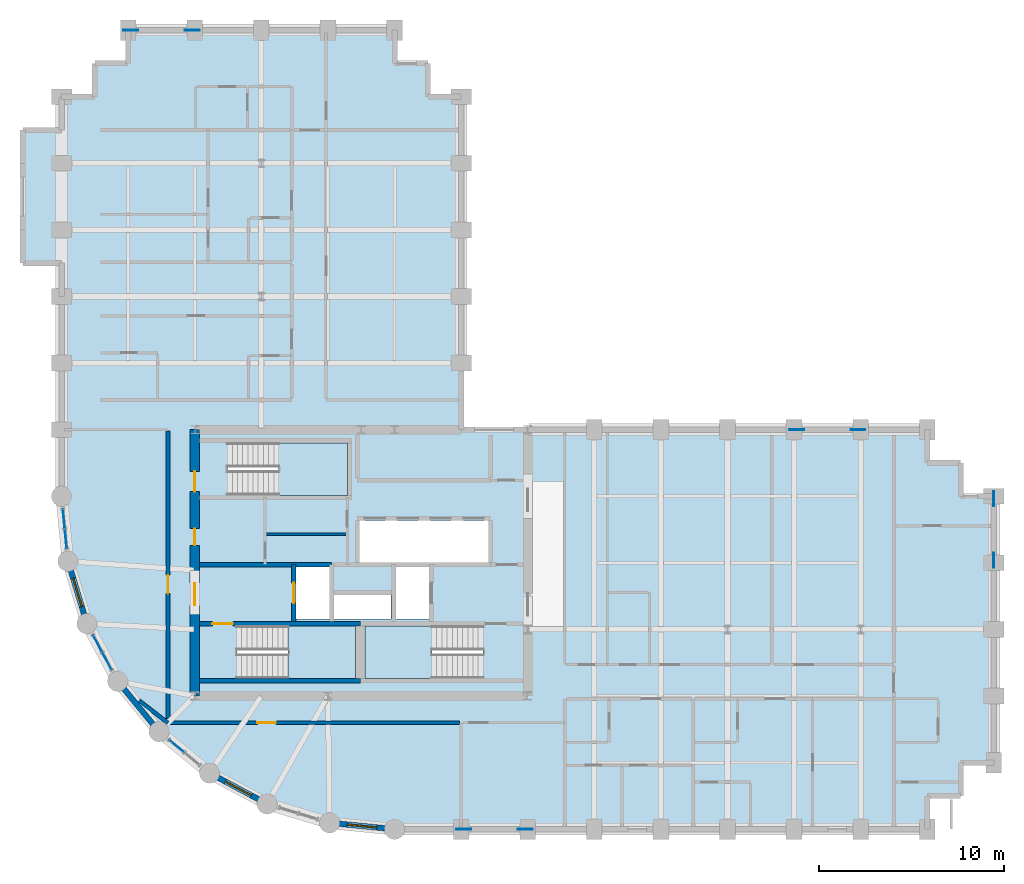
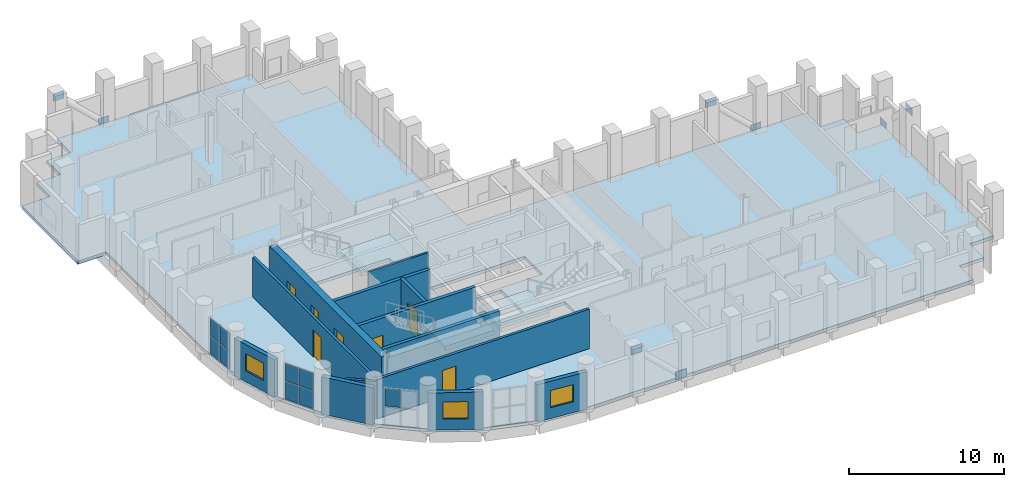
# One storey, part 7 of 13: 17 plates, 13 walls, 7 doors, 4 slabs, 3 windows, 10 openings, 6 elements without a shape of their own.
"""IFC4 building model written with IfcOpenShell, lengths in metres."""

from ifc_helpers import new_model, si_unit, direction, frame, frame_2d, origin, origin_2d, place, context, subcontext, project, spatial, polyline, rectangle, outline, extrude, material, layer, layer_set, type_object, element, fill, aggregate, save


model = new_model("IFC4")

# Units and contexts
model_context = context("Model", 3, precision=1e-05, world=origin(), true_north=direction((0.0, 1.0)))
body_context = subcontext(model_context, "Body", "Model", "MODEL_VIEW")
ifc_project = project(units=[si_unit("LENGTHUNIT", "METRE"), si_unit("AREAUNIT", "SQUARE_METRE"), si_unit("VOLUMEUNIT", "CUBIC_METRE"), si_unit("PLANEANGLEUNIT", "RADIAN"), si_unit("MASSUNIT", "GRAM", prefix="KILO")], contexts=[model_context])

# Site, building, storey
site_placement = place(None, origin())
site = spatial("IfcSite", under=ifc_project, at=site_placement, CompositionType="ELEMENT")
building_placement = place(site_placement, origin())
building = spatial("IfcBuilding", under=site, at=building_placement, Name="Solnavia Interchange Tower", CompositionType="ELEMENT")
storey_placement = place(building_placement, frame((0.0, 0.0, 123.800048828125)))
storey = spatial("IfcBuildingStorey", under=building, at=storey_placement, Name="L30", CompositionType="ELEMENT", Elevation=123.800048828125)

# Curtain wall, plates
ifc_material_1 = material(Name="Aluminium Alloy 6063-T6", Category="aluminium")
ifc_layer_1 = layer(ifc_material_1, 0.239990234375)
ifc_layer_set_1 = layer_set([ifc_layer_1], Name="Aluminium Alloy 6063-T6")
curtain_wall_type = type_object("IfcCurtainWallType", Name="CurtainWall-Drum-CTW2", PredefinedType="NOTDEFINED", material=ifc_layer_set_1)
curtain_wall_1_placement = place(storey_placement, origin())
curtain_wall_1 = element("IfcCurtainWall", 1, at=curtain_wall_1_placement, inside=storey, type_object=curtain_wall_type, Name="CTW-L30-D55 CTW-2 curtain wall", PredefinedType="NOTDEFINED")
ifc_material_2 = material(Name="Double-Glazed Low-E IGU Glass", Category="glass")
ifc_layer_2 = layer(ifc_material_2, 0.031982421875)
ifc_layer_set_2 = layer_set([ifc_layer_2], Name="Double-Glazed Low-E IGU Glass")
plate_type_1 = type_object("IfcPlateType", Name="CW-Panel-Solar-32", PredefinedType="CURTAIN_PANEL", material=ifc_layer_set_2)
plate_1_placement = place(storey_placement, frame((7.319580078125, 20.38623046875, 0.06494140625), z_axis=(0.0, 0.0, 1.0), x_axis=(0.098045297616, -0.995181953019, 0.0)))
plate_1 = element("IfcPlate", 2, at=plate_1_placement, type_object=plate_type_1, Name="CTW-2 panel 1.1", PredefinedType="CURTAIN_PANEL", context=body_context, shape_type="SweptSolid", body=[
    extrude(rectangle(XDim=1.0146484375, YDim=0.031982421875, at=origin_2d()), origin(), (0.0, 0.0, 1.0), 1.367431640625),
])
plate_2_placement = place(storey_placement, frame((7.319580078125, 20.38623046875, 1.49755859375), z_axis=(0.0, 0.0, 1.0), x_axis=(0.098045297616, -0.995181953019, 0.0)))
plate_2 = element("IfcPlate", 3, at=plate_2_placement, type_object=plate_type_1, Name="CTW-2 panel 1.2", PredefinedType="CURTAIN_PANEL", context=body_context, shape_type="SweptSolid", body=[
    extrude(rectangle(XDim=1.0146484375, YDim=0.031982421875, at=origin_2d()), origin(), (0.0, 0.0, 1.0), 1.367431640625),
])
plate_3_placement = place(storey_placement, frame((7.426513671875, 19.3017578125, 0.06494140625), z_axis=(0.0, 0.0, 1.0), x_axis=(0.098045297616, -0.995181953019, 0.0)))
plate_3 = element("IfcPlate", 4, at=plate_3_placement, type_object=plate_type_1, Name="CTW-2 panel 2.1", PredefinedType="CURTAIN_PANEL", context=body_context, shape_type="SweptSolid", body=[
    extrude(rectangle(XDim=1.0146484375, YDim=0.031982421875, at=origin_2d()), origin(), (0.0, 0.0, 1.0), 1.367431640625),
])
plate_4_placement = place(storey_placement, frame((7.426513671875, 19.3017578125, 1.49755859375), z_axis=(0.0, 0.0, 1.0), x_axis=(0.098045297616, -0.995181953019, 0.0)))
plate_4 = element("IfcPlate", 5, at=plate_4_placement, type_object=plate_type_1, Name="CTW-2 panel 2.2", PredefinedType="CURTAIN_PANEL", context=body_context, shape_type="SweptSolid", body=[
    extrude(rectangle(XDim=1.0146484375, YDim=0.031982421875, at=origin_2d()), origin(), (0.0, 0.0, 1.0), 1.367431640625),
])
aggregate(curtain_wall_1, [plate_1, plate_2, plate_3, plate_4])

curtain_wall_2_placement = place(storey_placement, origin())
curtain_wall_2 = element("IfcCurtainWall", 6, at=curtain_wall_2_placement, inside=storey, type_object=curtain_wall_type, Name="CTW-L30-D57 CTW-2 curtain wall", PredefinedType="NOTDEFINED")
plate_5_placement = place(storey_placement, frame((9.14501953125, 13.636474609375, 0.06494140625), z_axis=(0.0, 0.0, 1.0), x_axis=(0.471536719402, -0.881846427818, 0.0)))
plate_5 = element("IfcPlate", 7, at=plate_5_placement, type_object=plate_type_1, Name="CTW-2 panel 1.1", PredefinedType="CURTAIN_PANEL", context=body_context, shape_type="SweptSolid", body=[
    extrude(rectangle(XDim=1.014404296875, YDim=0.031982421875, at=origin_2d()), origin(), (0.0, 0.0, 1.0), 1.367431640625),
])
plate_6_placement = place(storey_placement, frame((9.14501953125, 13.636474609375, 1.49755859375), z_axis=(0.0, 0.0, 1.0), x_axis=(0.471536719402, -0.881846427818, 0.0)))
plate_6 = element("IfcPlate", 8, at=plate_6_placement, type_object=plate_type_1, Name="CTW-2 panel 1.2", PredefinedType="CURTAIN_PANEL", context=body_context, shape_type="SweptSolid", body=[
    extrude(rectangle(XDim=1.014404296875, YDim=0.031982421875, at=origin_2d()), origin(), (0.0, 0.0, 1.0), 1.367431640625),
])
plate_7_placement = place(storey_placement, frame((9.658935546875, 12.675537109375, 0.06494140625), z_axis=(0.0, 0.0, 1.0), x_axis=(0.471536719402, -0.881846427818, 0.0)))
plate_7 = element("IfcPlate", 9, at=plate_7_placement, type_object=plate_type_1, Name="CTW-2 panel 2.1", PredefinedType="CURTAIN_PANEL", context=body_context, shape_type="SweptSolid", body=[
    extrude(rectangle(XDim=1.014404296875, YDim=0.031982421875, at=origin_2d()), origin(), (0.0, 0.0, 1.0), 1.367431640625),
])
plate_8_placement = place(storey_placement, frame((9.658935546875, 12.675537109375, 1.49755859375), z_axis=(0.0, 0.0, 1.0), x_axis=(0.471536719402, -0.881846427818, 0.0)))
plate_8 = element("IfcPlate", 10, at=plate_8_placement, type_object=plate_type_1, Name="CTW-2 panel 2.2", PredefinedType="CURTAIN_PANEL", context=body_context, shape_type="SweptSolid", body=[
    extrude(rectangle(XDim=1.014404296875, YDim=0.031982421875, at=origin_2d()), origin(), (0.0, 0.0, 1.0), 1.367431640625),
])
aggregate(curtain_wall_2, [plate_5, plate_6, plate_7, plate_8])

# Curtain wall, plate
curtain_wall_3_placement = place(storey_placement, origin())
curtain_wall_3 = element("IfcCurtainWall", 11, at=curtain_wall_3_placement, inside=storey, type_object=curtain_wall_type, Name="CTW-L30-D59 CTW-2 curtain wall", PredefinedType="NOTDEFINED")
plate_9_placement = place(storey_placement, frame((13.4150390625, 8.098388671875, 1.49755859375), z_axis=(0.0, 0.0, 1.0), x_axis=(0.773094572227, -0.634290771172, 0.0)))
plate_9 = element("IfcPlate", 12, at=plate_9_placement, type_object=plate_type_1, Name="CTW-2 panel 1.2", PredefinedType="CURTAIN_PANEL", context=body_context, shape_type="SweptSolid", body=[
    extrude(rectangle(XDim=1.01416015625, YDim=0.031982421875, at=origin_2d()), origin(), (0.0, 0.0, 1.0), 1.367431640625),
])
aggregate(curtain_wall_3, [plate_9])

# Plates
ifc_material_3 = material(Name="Steel S460", Category="steel")
ifc_layer_3 = layer(ifc_material_3, 0.035888671875)
ifc_layer_set_3 = layer_set([ifc_layer_3], Name="Steel S460")
plate_type_2 = type_object("IfcPlateType", Name="Plate-Gusset-800x600x36", PredefinedType="USERDEFINED", material=ifc_layer_set_3)
for number, where, z_axis, x_axis, name in (
    (13, (32.260009765625, 3.60009765625, -0.1201171875), (0.0, 0.0, 1.0), (-1.0, 0.0, 0.0), "PLT-L30-GP01 Perimeter brace gusset plate"),
    (14, (28.93994140625, 3.60009765625, 3.0), (0.0, 0.0, 1.0), (-1.0, 0.0, 0.0), "PLT-L30-GP02 Perimeter brace gusset plate"),
    (15, (57.60009765625, 21.4599609375, -0.1201171875), (0.0, 0.0, 1.0), (0.0, -1.0, 0.0), "PLT-L30-GP03 Perimeter brace gusset plate"),
    (16, (57.60009765625, 18.139892578125, 3.0), (0.0, 0.0, 1.0), (0.0, -1.0, 0.0), "PLT-L30-GP04 Perimeter brace gusset plate"),
    (17, (14.260009765625, 46.800048828125, -0.1201171875), (0.0, 0.0, 1.0), (-1.0, 0.0, 0.0), "PLT-L30-GP05 Perimeter brace gusset plate"),
    (18, (10.93994140625, 46.800048828125, 3.0), (0.0, 0.0, 1.0), (-1.0, 0.0, 0.0), "PLT-L30-GP06 Perimeter brace gusset plate"),
    (19, (50.260009765625, 25.199951171875, -0.1201171875), (0.0, 0.0, 1.0), (-1.0, 0.0, 0.0), "PLT-L30-GP07 Perimeter brace gusset plate"),
    (20, (46.93994140625, 25.199951171875, 3.0), (0.0, 0.0, 1.0), (-1.0, 0.0, 0.0), "PLT-L30-GP08 Perimeter brace gusset plate"),
):
    element("IfcPlate", number, at=place(storey_placement, frame(where, z_axis=z_axis, x_axis=x_axis)), inside=storey, type_object=plate_type_2, Name=name, ObjectType="GUSSET PLATE", PredefinedType="USERDEFINED", context=body_context, shape_type="SweptSolid", body=[
        extrude(rectangle(XDim=0.800048828125, YDim=0.035888671875, at=origin_2d()), origin(), (0.0, 0.0, 1.0), 0.60009765625),
    ])

# Stair, slab
ifc_material_4 = material(Name="Concrete C40/50", Category="concrete")
stair_type = type_object("IfcStairType", Name="Stair-Dogleg-RC", PredefinedType="HALF_TURN_STAIR", material=ifc_material_4)
stair_1_placement = place(storey_placement, origin())
stair_1 = element("IfcStair", 21, at=stair_1_placement, inside=storey, type_object=stair_type, Name="L30 Core exit stair 1", PredefinedType="HALF_TURN_STAIR")
ifc_layer_4 = layer(ifc_material_4, 0.35009765625)
ifc_layer_set_4 = layer_set([ifc_layer_4], Name="Concrete C40/50")
slab_type_1 = type_object("IfcSlabType", Name="Slab-StairLanding-350", PredefinedType="LANDING", material=ifc_layer_set_4)
slab_1_placement = place(storey_placement, frame((0.0, 0.0, 1.550048828125)))
slab_1 = element("IfcSlab", 22, at=slab_1_placement, type_object=slab_type_1, Name="ST-1 landing 1", PredefinedType="LANDING", context=body_context, shape_type="SweptSolid", body=[
    extrude(outline(polyline([(19.427978515625, 11.75), (23.10009765625, 11.75), (23.10009765625, 14.590087890625), (19.427978515625, 14.590087890625), (19.427978515625, 11.75)])), origin(), (0.0, 0.0, 1.0), 0.349853515625),
])
aggregate(stair_1, [slab_1])

stair_2_placement = place(storey_placement, origin())
stair_2 = element("IfcStair", 23, at=stair_2_placement, inside=storey, type_object=stair_type, Name="L30 Core exit stair 2", PredefinedType="HALF_TURN_STAIR")
slab_2_placement = place(storey_placement, frame((0.0, 0.0, 1.550048828125)))
slab_2 = element("IfcSlab", 24, at=slab_2_placement, type_object=slab_type_1, Name="ST-2 landing 1", PredefinedType="LANDING", context=body_context, shape_type="SweptSolid", body=[
    extrude(outline(polyline([(23.60009765625, 11.75), (27.221923828125, 11.75), (27.221923828125, 14.590087890625), (23.60009765625, 14.590087890625), (23.60009765625, 11.75)])), origin(), (0.0, 0.0, 1.0), 0.349853515625),
])
aggregate(stair_2, [slab_2])

stair_3_placement = place(storey_placement, origin())
stair_3 = element("IfcStair", 25, at=stair_3_placement, inside=storey, type_object=stair_type, Name="L30 Core exit stair 3", PredefinedType="HALF_TURN_STAIR")
slab_3_placement = place(storey_placement, frame((0.0, 0.0, 1.550048828125)))
slab_3 = element("IfcSlab", 26, at=slab_3_placement, type_object=slab_type_1, Name="ST-3 landing 1", PredefinedType="LANDING", context=body_context, shape_type="SweptSolid", body=[
    extrude(outline(polyline([(18.927978515625, 21.64990234375), (22.64990234375, 21.64990234375), (22.64990234375, 24.489990234375), (18.927978515625, 24.489990234375), (18.927978515625, 21.64990234375)])), origin(), (0.0, 0.0, 1.0), 0.349853515625),
])
aggregate(stair_3, [slab_3])

# Slab
ifc_layer_5 = layer(ifc_material_4, 0.25)
ifc_layer_set_5 = layer_set([ifc_layer_5], Name="Concrete C40/50")
slab_type_2 = type_object("IfcSlabType", Name="Slab-Tower-250", PredefinedType="FLOOR", material=ifc_layer_set_5)
slab_4_placement = place(storey_placement, frame((0.0, 0.0, -0.25)))
element("IfcSlab", 27, at=slab_4_placement, inside=storey, type_object=slab_type_2, Name="SLB-L30-01 Structural floor slab", PredefinedType="FLOOR", context=body_context, shape_type="SweptSolid", body=[
    extrude(outline(polyline([(25.199951171875, 3.60009765625), (54.0, 3.60009765625), (54.0, 5.39990234375), (55.800048828125, 5.39990234375), (55.800048828125, 7.199951171875), (57.60009765625, 7.199951171875), (57.60009765625, 21.60009765625), (55.800048828125, 21.60009765625), (55.800048828125, 23.39990234375), (54.0, 23.39990234375), (54.0, 25.199951171875), (28.800048828125, 25.199951171875), (28.800048828125, 43.199951171875), (27.0, 43.199951171875), (27.0, 45.0), (25.199951171875, 45.0), (25.199951171875, 46.800048828125), (10.800048828125, 46.800048828125), (10.800048828125, 45.0), (9.0, 45.0), (9.0, 43.199951171875), (7.199951171875, 43.199951171875), (7.199951171875, 41.39990234375), (5.10009765625, 41.39990234375), (5.10009765625, 34.199951171875), (7.199951171875, 34.199951171875), (7.199951171875, 21.60009765625), (7.5458984375, 18.087890625), (8.570068359375, 14.7119140625), (10.23388671875, 11.60009765625), (12.471923828125, 8.8720703125), (15.199951171875, 6.634033203125), (18.31201171875, 4.969970703125), (21.68798828125, 3.946044921875), (25.199951171875, 3.60009765625)]), holes=[polyline([(16.675048828125, 11.75), (23.10009765625, 11.75), (23.10009765625, 14.590087890625), (16.675048828125, 14.590087890625), (16.675048828125, 11.75)]), polyline([(23.60009765625, 11.75), (29.97509765625, 11.75), (29.97509765625, 14.590087890625), (23.60009765625, 14.590087890625), (23.60009765625, 11.75)]), polyline([(16.175048828125, 21.64990234375), (22.64990234375, 21.64990234375), (22.64990234375, 24.489990234375), (16.175048828125, 24.489990234375), (16.175048828125, 21.64990234375)]), polyline([(19.8798828125, 14.9599609375), (21.679931640625, 14.9599609375), (21.679931640625, 17.780029296875), (19.8798828125, 17.780029296875), (19.8798828125, 14.9599609375)]), polyline([(25.280029296875, 14.9599609375), (27.080078125, 14.9599609375), (27.080078125, 17.780029296875), (25.280029296875, 17.780029296875), (25.280029296875, 14.9599609375)]), polyline([(21.919921875, 14.9599609375), (25.02001953125, 14.9599609375), (25.02001953125, 16.280029296875), (21.919921875, 16.280029296875), (21.919921875, 14.9599609375)]), polyline([(23.300048828125, 18.02001953125), (30.280029296875, 18.02001953125), (30.280029296875, 20.300048828125), (23.300048828125, 20.300048828125), (23.300048828125, 18.02001953125)])]), origin(), (0.0, 0.0, 1.0), 0.25),
])

# Wall
ifc_material_5 = material(Name="Gypsum Acoustic Twin-Stud & Mineral Wool", Category="gypsum")
ifc_layer_6 = layer(ifc_material_5, 0.199951171875)
ifc_layer_set_6 = layer_set([ifc_layer_6], Name="Gypsum Acoustic Twin-Stud & Mineral Wool")
wall_type_1 = type_object("IfcWallType", Name="Wall-ApartmentParty-200", PredefinedType="PARTITIONING", material=ifc_layer_set_6)
wall_1_placement = place(storey_placement, frame((12.949951171875, 9.35009765625, 0.0), z_axis=(0.0, 0.0, 1.0), x_axis=(-0.7915325665, 0.611126988579, 0.0)))
element("IfcWall", 28, at=wall_1_placement, inside=storey, type_object=wall_type_1, Name="PTW-L30-09 Interior partition wall", PredefinedType="PARTITIONING", context=body_context, shape_type="SweptSolid", body=[
    extrude(rectangle(XDim=1.97314453125, YDim=0.199951171875, at=frame_2d((0.986572265625, 0.0))), origin(), (0.0, 0.0, 1.0), 2.929931640625),
])

# Wall, opening, door
wall_2_placement = place(storey_placement, frame((12.949951171875, 9.577392578125, 0.0), z_axis=(0.0, 0.0, 1.0), x_axis=(0.0, 1.0, 0.0)))
wall_2 = element("IfcWall", 29, at=wall_2_placement, inside=storey, type_object=wall_type_1, Name="PTW-L30-10 Interior partition wall", PredefinedType="PARTITIONING", context=body_context, shape_type="SweptSolid", body=[
    extrude(rectangle(XDim=15.543701171875, YDim=0.199951171875, at=frame_2d((7.77197265625, 0.0))), origin(), (0.0, 0.0, 1.0), 3.099853515625),
])
opening_1_placement = place(wall_2_placement, frame((6.762939453125, 0.0, 0.0)))
opening_1 = element("IfcOpeningElement", 30, at=opening_1_placement, cuts=wall_2, Name="Opening DR-07", PredefinedType="OPENING", context=body_context, shape_type="SweptSolid", body=[
    extrude(rectangle(XDim=1.0, YDim=2.10009765625, at=frame_2d((0.5, 1.050048828125))), frame((0.0, 0.10986328125, 0.0), z_axis=(0.0, -1.0, 0.0), x_axis=(1.0, 0.0, 0.0)), (0.0, 0.0, 1.0), 0.219970703125),
])
ifc_material_6 = material(Name="Timber & Acoustic Glazed Office Door", Category="wood")
door_type_1 = type_object("IfcDoorType", Name="Door-Office-1000x2100", OperationType="SINGLE_SWING_RIGHT", PredefinedType="DOOR", material=ifc_material_6)
door_1_placement = place(opening_1_placement, origin())
door_1 = element("IfcDoor", 31, at=door_1_placement, inside=storey, type_object=door_type_1, Name="DR-L30-03 Interior room door", OperationType="SINGLE_SWING_LEFT", OverallHeight=2.10009765625, OverallWidth=1.0, PredefinedType="DOOR", context=body_context, shape_type="SweptSolid", body=[
    extrude(rectangle(XDim=1.0, YDim=2.10009765625, at=frame_2d((0.5, 1.050048828125))), frame((0.0, 0.02490234375, 0.0), z_axis=(0.0, -1.0, 0.0), x_axis=(1.0, 0.0, 0.0)), (0.0, 0.0, 1.0), 0.050048828125),
])
fill(opening_1, door_1)

wall_3_placement = place(storey_placement, frame((12.949951171875, 9.35009765625, 0.0), z_axis=(0.0, 0.0, 1.0), x_axis=(1.0, 0.0, 0.0)))
wall_3 = element("IfcWall", 32, at=wall_3_placement, inside=storey, type_object=wall_type_1, Name="PTW-L30-11 Interior partition wall", PredefinedType="PARTITIONING", context=body_context, shape_type="SweptSolid", body=[
    extrude(rectangle(XDim=15.77099609375, YDim=0.199951171875, at=frame_2d((7.885498046875, 0.0))), origin(), (0.0, 0.0, 1.0), 3.099853515625),
])
opening_2_placement = place(wall_3_placement, frame((4.8359375, 0.0, 0.0)))
opening_2 = element("IfcOpeningElement", 33, at=opening_2_placement, cuts=wall_3, Name="Opening DR-07", PredefinedType="OPENING", context=body_context, shape_type="SweptSolid", body=[
    extrude(rectangle(XDim=1.0, YDim=2.10009765625, at=frame_2d((0.5, 1.050048828125))), frame((0.0, 0.10986328125, 0.0), z_axis=(0.0, -1.0, 0.0), x_axis=(1.0, 0.0, 0.0)), (0.0, 0.0, 1.0), 0.219970703125),
])
door_2_placement = place(opening_2_placement, origin())
door_2 = element("IfcDoor", 34, at=door_2_placement, inside=storey, type_object=door_type_1, Name="DR-L30-04 Interior room door", OperationType="SINGLE_SWING_RIGHT", OverallHeight=2.10009765625, OverallWidth=1.0, PredefinedType="DOOR", context=body_context, shape_type="SweptSolid", body=[
    extrude(rectangle(XDim=1.0, YDim=2.10009765625, at=frame_2d((0.5, 1.050048828125))), frame((0.0, 0.02490234375, 0.0), z_axis=(0.0, -1.0, 0.0), x_axis=(1.0, 0.0, 0.0)), (0.0, 0.0, 1.0), 0.050048828125),
])
fill(opening_2, door_2)

# Wall, opening, window
ifc_layer_7 = layer(ifc_material_4, 0.300048828125)
ifc_layer_set_7 = layer_set([ifc_layer_7], Name="Concrete C40/50")
wall_type_2 = type_object("IfcWallType", Name="Wall-ExtSpandrel-300", PredefinedType="STANDARD", material=ifc_layer_set_7)
wall_4_placement = place(storey_placement, frame((8.570068359375, 14.7119140625, 0.0), z_axis=(0.0, 0.0, 1.0), x_axis=(-0.290305086481, 0.956934144423, 0.0)))
wall_4 = element("IfcWall", 35, at=wall_4_placement, inside=storey, type_object=wall_type_2, Name="EXW-L30-56 Exterior precast spandrel wall", PredefinedType="STANDARD", context=body_context, shape_type="SweptSolid", body=[
    extrude(rectangle(XDim=3.52783203125, YDim=0.300048828125, at=frame_2d((1.763916015625, 0.0))), origin(), (0.0, 0.0, 1.0), 2.929931640625),
])
opening_3_placement = place(wall_4_placement, frame((0.964111328125, 0.0, 0.85009765625)))
opening_3 = element("IfcOpeningElement", 36, at=opening_3_placement, cuts=wall_4, Name="Opening WIN-04", PredefinedType="OPENING", context=body_context, shape_type="SweptSolid", body=[
    extrude(rectangle(XDim=1.60009765625, YDim=1.35009765625, at=frame_2d((0.800048828125, 0.675048828125))), frame((0.0, 0.16015625, 0.0), z_axis=(0.0, -1.0, 0.0), x_axis=(1.0, 0.0, 0.0)), (0.0, 0.0, 1.0), 0.320068359375),
])
ifc_material_7 = material(Name="Thermal-Break Aluminium & Low-E Glass", Category="aluminium")
window_type = type_object("IfcWindowType", Name="Window-Drum-1600x1350", PartitioningType="SINGLE_PANEL", PredefinedType="WINDOW", material=ifc_material_7)
window_1_placement = place(opening_3_placement, origin())
window_1 = element("IfcWindow", 37, at=window_1_placement, inside=storey, type_object=window_type, Name="WIN-L30-56 Facade ribbon window", OverallHeight=1.35009765625, OverallWidth=1.60009765625, PartitioningType="SINGLE_PANEL", PredefinedType="WINDOW", context=body_context, shape_type="SweptSolid", body=[
    extrude(rectangle(XDim=1.60009765625, YDim=1.35009765625, at=frame_2d((0.800048828125, 0.675048828125))), frame((0.0, 0.030029296875, 0.0), z_axis=(0.0, -1.0, 0.0), x_axis=(1.0, 0.0, 0.0)), (0.0, 0.0, 1.0), 0.06005859375),
])
fill(opening_3, window_1)

# Wall
wall_5_placement = place(storey_placement, frame((12.471923828125, 8.8720703125, 0.0), z_axis=(0.0, 0.0, 1.0), x_axis=(-0.634258295121, 0.773121216285, 0.0)))
element("IfcWall", 38, at=wall_5_placement, inside=storey, type_object=wall_type_2, Name="EXW-L30-58 Exterior precast spandrel wall", PredefinedType="STANDARD", context=body_context, shape_type="SweptSolid", body=[
    extrude(rectangle(XDim=3.528564453125, YDim=0.300048828125, at=frame_2d((1.76416015625, 0.0))), origin(), (0.0, 0.0, 1.0), 2.929931640625),
])

# Wall, opening, window
wall_6_placement = place(storey_placement, frame((18.31201171875, 4.969970703125, 0.0), z_axis=(0.0, 0.0, 1.0), x_axis=(-0.881846862014, 0.471535907389, 0.0)))
wall_6 = element("IfcWall", 39, at=wall_6_placement, inside=storey, type_object=wall_type_2, Name="EXW-L30-60 Exterior precast spandrel wall", PredefinedType="STANDARD", context=body_context, shape_type="SweptSolid", body=[
    extrude(rectangle(XDim=3.529052734375, YDim=0.300048828125, at=frame_2d((1.7646484375, 0.0))), origin(), (0.0, 0.0, 1.0), 2.929931640625),
])
opening_4_placement = place(wall_6_placement, frame((0.964111328125, 0.0, 0.85009765625)))
opening_4 = element("IfcOpeningElement", 40, at=opening_4_placement, cuts=wall_6, Name="Opening WIN-04", PredefinedType="OPENING", context=body_context, shape_type="SweptSolid", body=[
    extrude(rectangle(XDim=1.60009765625, YDim=1.35009765625, at=frame_2d((0.800048828125, 0.675048828125))), frame((0.0, 0.16015625, 0.0), z_axis=(0.0, -1.0, 0.0), x_axis=(1.0, 0.0, 0.0)), (0.0, 0.0, 1.0), 0.320068359375),
])
window_2_placement = place(opening_4_placement, origin())
window_2 = element("IfcWindow", 41, at=window_2_placement, inside=storey, type_object=window_type, Name="WIN-L30-60 Facade ribbon window", OverallHeight=1.35009765625, OverallWidth=1.60009765625, PartitioningType="SINGLE_PANEL", PredefinedType="WINDOW", context=body_context, shape_type="SweptSolid", body=[
    extrude(rectangle(XDim=1.60009765625, YDim=1.35009765625, at=frame_2d((0.800048828125, 0.675048828125))), frame((0.0, 0.030029296875, 0.0), z_axis=(0.0, -1.0, 0.0), x_axis=(1.0, 0.0, 0.0)), (0.0, 0.0, 1.0), 0.06005859375),
])
fill(opening_4, window_2)

wall_7_placement = place(storey_placement, frame((25.199951171875, 3.60009765625, 0.0), z_axis=(0.0, 0.0, 1.0), x_axis=(-0.995183369056, 0.098030923459, 0.0)))
wall_7 = element("IfcWall", 42, at=wall_7_placement, inside=storey, type_object=wall_type_2, Name="EXW-L30-62 Exterior precast spandrel wall", PredefinedType="STANDARD", context=body_context, shape_type="SweptSolid", body=[
    extrude(rectangle(XDim=3.529052734375, YDim=0.300048828125, at=frame_2d((1.7646484375, 0.0))), origin(), (0.0, 0.0, 1.0), 2.929931640625),
])
opening_5_placement = place(wall_7_placement, frame((0.965087890625, 0.0, 0.85009765625)))
opening_5 = element("IfcOpeningElement", 43, at=opening_5_placement, cuts=wall_7, Name="Opening WIN-04", PredefinedType="OPENING", context=body_context, shape_type="SweptSolid", body=[
    extrude(rectangle(XDim=1.60009765625, YDim=1.35009765625, at=frame_2d((0.800048828125, 0.675048828125))), frame((0.0, 0.16015625, 0.0), z_axis=(0.0, -1.0, 0.0), x_axis=(1.0, 0.0, 0.0)), (0.0, 0.0, 1.0), 0.320068359375),
])
window_3_placement = place(opening_5_placement, origin())
window_3 = element("IfcWindow", 44, at=window_3_placement, inside=storey, type_object=window_type, Name="WIN-L30-62 Facade ribbon window", OverallHeight=1.35009765625, OverallWidth=1.60009765625, PartitioningType="SINGLE_PANEL", PredefinedType="WINDOW", context=body_context, shape_type="SweptSolid", body=[
    extrude(rectangle(XDim=1.60009765625, YDim=1.35009765625, at=frame_2d((0.800048828125, 0.675048828125))), frame((0.0, 0.030029296875, 0.0), z_axis=(0.0, -1.0, 0.0), x_axis=(1.0, 0.0, 0.0)), (0.0, 0.0, 1.0), 0.06005859375),
])
fill(opening_5, window_3)

# Walls
ifc_material_8 = material(Name="Gypsum Plasterboard & Steel Stud", Category="steel")
ifc_layer_8 = layer(ifc_material_8, 0.14990234375)
ifc_layer_set_8 = layer_set([ifc_layer_8], Name="Gypsum Plasterboard & Steel Stud")
wall_type_3 = type_object("IfcWallType", Name="Wall-Partition-150", PredefinedType="PARTITIONING", material=ifc_layer_set_8)
wall_8_placement = place(storey_placement, frame((18.199951171875, 19.550048828125, 0.0), z_axis=(0.0, 0.0, 1.0), x_axis=(1.0, 0.0, 0.0)))
element("IfcWall", 45, at=wall_8_placement, inside=storey, type_object=wall_type_3, Name="CSW-L30-H1 Core shaft wall", PredefinedType="PARTITIONING", context=body_context, shape_type="SweptSolid", body=[
    extrude(rectangle(XDim=4.449951171875, YDim=0.14990234375, at=frame_2d((2.22509765625, 0.0))), origin(), (0.0, 0.0, 1.0), 3.46484375),
])
ifc_layer_9 = layer(ifc_material_4, 0.25)
ifc_layer_set_9 = layer_set([ifc_layer_9], Name="Concrete C40/50")
wall_type_4 = type_object("IfcWallType", Name="Wall-ShaftCore-250", PredefinedType="SHEAR", material=ifc_layer_set_9)
wall_9_placement = place(storey_placement, frame((14.64990234375, 11.625, 0.0), z_axis=(0.0, 0.0, 1.0), x_axis=(1.0, 0.0, 0.0)))
element("IfcWall", 46, at=wall_9_placement, inside=storey, type_object=wall_type_4, Name="SHW-L30-ST1S Core shear wall", PredefinedType="SHEAR", context=body_context, shape_type="SweptSolid", body=[
    extrude(rectangle(XDim=8.7001953125, YDim=0.25, at=frame_2d((4.35009765625, 0.0))), origin(), (0.0, 0.0, 1.0), 3.47998046875),
])

# Wall, opening, door
wall_10_placement = place(storey_placement, frame((14.64990234375, 14.715087890625, 0.0), z_axis=(0.0, 0.0, 1.0), x_axis=(1.0, 0.0, 0.0)))
wall_10 = element("IfcWall", 47, at=wall_10_placement, inside=storey, type_object=wall_type_4, Name="SHW-L30-ST1N Core shear wall", PredefinedType="SHEAR", context=body_context, shape_type="SweptSolid", body=[
    extrude(rectangle(XDim=8.7001953125, YDim=0.25, at=frame_2d((4.35009765625, 0.0))), origin(), (0.0, 0.0, 1.0), 3.47998046875),
])
opening_6_placement = place(wall_10_placement, frame((0.705078125, 0.0, 0.0)))
opening_6 = element("IfcOpeningElement", 48, at=opening_6_placement, cuts=wall_10, Name="Opening DR-01", PredefinedType="OPENING", context=body_context, shape_type="SweptSolid", body=[
    extrude(rectangle(XDim=1.10009765625, YDim=2.10009765625, at=frame_2d((0.550048828125, 1.050048828125))), frame((0.0, 0.135009765625, 0.0), z_axis=(0.0, -1.0, 0.0), x_axis=(1.0, 0.0, 0.0)), (0.0, 0.0, 1.0), 0.27001953125),
])
ifc_material_9 = material(Name="Steel Fire-Rated Leaf & Frame", Category="steel")
door_type_2 = type_object("IfcDoorType", Name="Door-StairFire-1100x2100", OperationType="SINGLE_SWING_LEFT", PredefinedType="DOOR", material=ifc_material_9)
door_3_placement = place(opening_6_placement, origin())
door_3 = element("IfcDoor", 49, at=door_3_placement, inside=storey, type_object=door_type_2, Name="DR-L30-ST1 Core fire door", OperationType="SINGLE_SWING_LEFT", OverallHeight=2.10009765625, OverallWidth=1.10009765625, PredefinedType="DOOR", context=body_context, shape_type="SweptSolid", body=[
    extrude(rectangle(XDim=1.10009765625, YDim=2.10009765625, at=frame_2d((0.550048828125, 1.050048828125))), frame((0.0, 0.02490234375, 0.0), z_axis=(0.0, -1.0, 0.0), x_axis=(1.0, 0.0, 0.0)), (0.0, 0.0, 1.0), 0.050048828125),
])
fill(opening_6, door_3)

# Wall
ifc_layer_10 = layer(ifc_material_4, 0.25)
ifc_layer_set_10 = layer_set([ifc_layer_10], Name="Concrete C40/50")
wall_type_5 = type_object("IfcWallType", Name="Wall-ShaftPart-250", PredefinedType="PARTITIONING", material=ifc_layer_set_10)
wall_11_placement = place(storey_placement, frame((14.64990234375, 17.89990234375, 0.0), z_axis=(0.0, 0.0, 1.0), x_axis=(1.0, 0.0, 0.0)))
element("IfcWall", 50, at=wall_11_placement, inside=storey, type_object=wall_type_5, Name="SHW-L30-FFLW-N Core shaft wall", PredefinedType="PARTITIONING", context=body_context, shape_type="SweptSolid", body=[
    extrude(rectangle(XDim=7.150146484375, YDim=0.25, at=frame_2d((3.5751953125, 0.0))), origin(), (0.0, 0.0, 1.0), 3.46484375),
])

# Wall, opening, door
wall_12_placement = place(storey_placement, frame((19.75, 14.840087890625, 0.0), z_axis=(0.0, 0.0, 1.0), x_axis=(0.0, 1.0, 0.0)))
wall_12 = element("IfcWall", 51, at=wall_12_placement, inside=storey, type_object=wall_type_5, Name="SHW-L30-FFL1-W Core shaft wall", PredefinedType="PARTITIONING", context=body_context, shape_type="SweptSolid", body=[
    extrude(rectangle(XDim=3.059814453125, YDim=0.25, at=frame_2d((1.52978515625, 0.0))), origin(), (0.0, 0.0, 1.0), 3.46484375),
])
opening_7_placement = place(wall_12_placement, frame((0.97998046875, 0.0, 0.0)))
opening_7 = element("IfcOpeningElement", 52, at=opening_7_placement, cuts=wall_12, Name="Opening LD-01", PredefinedType="OPENING", context=body_context, shape_type="SweptSolid", body=[
    extrude(rectangle(XDim=1.10009765625, YDim=2.10009765625, at=frame_2d((0.550048828125, 1.050048828125))), frame((0.0, 0.135009765625, 0.0), z_axis=(0.0, -1.0, 0.0), x_axis=(1.0, 0.0, 0.0)), (0.0, 0.0, 1.0), 0.27001953125),
])
ifc_material_10 = material(Name="Brushed Stainless Steel Sliding Door", Category="steel")
door_type_3 = type_object("IfcDoorType", Name="Door-LiftLanding-1100x2100", OperationType="SLIDING_TO_LEFT", PredefinedType="DOOR", material=ifc_material_10)
door_4_placement = place(opening_7_placement, origin())
door_4 = element("IfcDoor", 53, at=door_4_placement, inside=storey, type_object=door_type_3, Name="LD-L30-FFL1 Lift landing sliding door", OperationType="SLIDING_TO_LEFT", OverallHeight=2.10009765625, OverallWidth=1.10009765625, PredefinedType="DOOR", context=body_context, shape_type="SweptSolid", body=[
    extrude(rectangle(XDim=1.10009765625, YDim=2.10009765625, at=frame_2d((0.550048828125, 1.050048828125))), frame((0.0, 0.02490234375, 0.0), z_axis=(0.0, -1.0, 0.0), x_axis=(1.0, 0.0, 0.0)), (0.0, 0.0, 1.0), 0.050048828125),
])
fill(opening_7, door_4)

# Wall, openings, doors
ifc_material_11 = material(Name="Concrete C60/75", Category="concrete")
ifc_layer_11 = layer(ifc_material_11, 0.5)
ifc_layer_set_11 = layer_set([ifc_layer_11], Name="Concrete C60/75")
wall_type_6 = type_object("IfcWallType", Name="Wall-ShearCore-500", PredefinedType="SHEAR", material=ifc_layer_set_11)
wall_13_placement = place(storey_placement, frame((14.39990234375, 10.800048828125, 0.0), z_axis=(0.0, 0.0, 1.0), x_axis=(0.0, 1.0, 0.0)))
wall_13 = element("IfcWall", 54, at=wall_13_placement, inside=storey, type_object=wall_type_6, Name="CRW-L30-W Core shear wall", PredefinedType="SHEAR", context=body_context, shape_type="SweptSolid", body=[
    extrude(rectangle(XDim=14.39990234375, YDim=0.5, at=frame_2d((7.199951171875, 0.0))), origin(), (0.0, 0.0, 1.0), 3.47998046875),
])
opening_8_placement = place(wall_13_placement, frame((11.050048828125, 0.0, 0.0)))
opening_8 = element("IfcOpeningElement", 55, at=opening_8_placement, cuts=wall_13, Name="Opening DR-01", PredefinedType="OPENING", context=body_context, shape_type="SweptSolid", body=[
    extrude(rectangle(XDim=1.10009765625, YDim=2.10009765625, at=frame_2d((0.550048828125, 1.050048828125))), frame((0.0, 0.260009765625, 0.0), z_axis=(0.0, -1.0, 0.0), x_axis=(1.0, 0.0, 0.0)), (0.0, 0.0, 1.0), 0.52001953125),
])
opening_9_placement = place(wall_13_placement, frame((4.89990234375, 0.0, 0.0)))
opening_9 = element("IfcOpeningElement", 56, at=opening_9_placement, cuts=wall_13, Name="Opening DR-02", PredefinedType="OPENING", context=body_context, shape_type="SweptSolid", body=[
    extrude(rectangle(XDim=1.199951171875, YDim=2.10009765625, at=frame_2d((0.60009765625, 1.050048828125))), frame((0.0, 0.260009765625, 0.0), z_axis=(0.0, -1.0, 0.0), x_axis=(1.0, 0.0, 0.0)), (0.0, 0.0, 1.0), 0.52001953125),
])
opening_10_placement = place(wall_13_placement, frame((8.14990234375, 0.0, 0.0)))
opening_10 = element("IfcOpeningElement", 57, at=opening_10_placement, cuts=wall_13, Name="Opening DR-09", PredefinedType="OPENING", context=body_context, shape_type="SweptSolid", body=[
    extrude(rectangle(XDim=0.89990234375, YDim=2.10009765625, at=frame_2d((0.449951171875, 1.050048828125))), frame((0.0, 0.260009765625, 0.0), z_axis=(0.0, -1.0, 0.0), x_axis=(1.0, 0.0, 0.0)), (0.0, 0.0, 1.0), 0.52001953125),
])
ifc_material_12 = material(Name="Engineered Oak Veneer Door", Category="wood")
door_type_4 = type_object("IfcDoorType", Name="Door-Internal-900x2100", OperationType="SINGLE_SWING_LEFT", PredefinedType="DOOR", material=ifc_material_12)
door_5_placement = place(opening_10_placement, origin())
door_5 = element("IfcDoor", 58, at=door_5_placement, inside=storey, type_object=door_type_4, Name="DR-L30-CS1 Core fire door", OperationType="SINGLE_SWING_RIGHT", OverallHeight=2.10009765625, OverallWidth=0.89990234375, PredefinedType="DOOR", context=body_context, shape_type="SweptSolid", body=[
    extrude(rectangle(XDim=0.89990234375, YDim=2.10009765625, at=frame_2d((0.449951171875, 1.050048828125))), frame((0.0, 0.02490234375, 0.0), z_axis=(0.0, -1.0, 0.0), x_axis=(1.0, 0.0, 0.0)), (0.0, 0.0, 1.0), 0.050048828125),
])
fill(opening_10, door_5)
ifc_material_13 = material(Name="Steel Fire-Rated Vision-Panel Door", Category="steel")
door_type_5 = type_object("IfcDoorType", Name="Door-LobbyFire-1200x2100", OperationType="SINGLE_SWING_RIGHT", PredefinedType="DOOR", material=ifc_material_13)
door_6_placement = place(opening_9_placement, origin())
door_6 = element("IfcDoor", 59, at=door_6_placement, inside=storey, type_object=door_type_5, Name="DR-L30-FFL1W Core fire door", OperationType="SINGLE_SWING_RIGHT", OverallHeight=2.10009765625, OverallWidth=1.199951171875, PredefinedType="DOOR", context=body_context, shape_type="SweptSolid", body=[
    extrude(rectangle(XDim=1.199951171875, YDim=2.10009765625, at=frame_2d((0.60009765625, 1.050048828125))), frame((0.0, 0.02490234375, 0.0), z_axis=(0.0, -1.0, 0.0), x_axis=(1.0, 0.0, 0.0)), (0.0, 0.0, 1.0), 0.050048828125),
])
fill(opening_9, door_6)
door_7_placement = place(opening_8_placement, origin())
door_7 = element("IfcDoor", 60, at=door_7_placement, inside=storey, type_object=door_type_2, Name="DR-L30-ST3 Core fire door", OperationType="SINGLE_SWING_RIGHT", OverallHeight=2.10009765625, OverallWidth=1.10009765625, PredefinedType="DOOR", context=body_context, shape_type="SweptSolid", body=[
    extrude(rectangle(XDim=1.10009765625, YDim=2.10009765625, at=frame_2d((0.550048828125, 1.050048828125))), frame((0.0, 0.02490234375, 0.0), z_axis=(0.0, -1.0, 0.0), x_axis=(1.0, 0.0, 0.0)), (0.0, 0.0, 1.0), 0.050048828125),
])
fill(opening_8, door_7)

save(model, "model.ifc")
